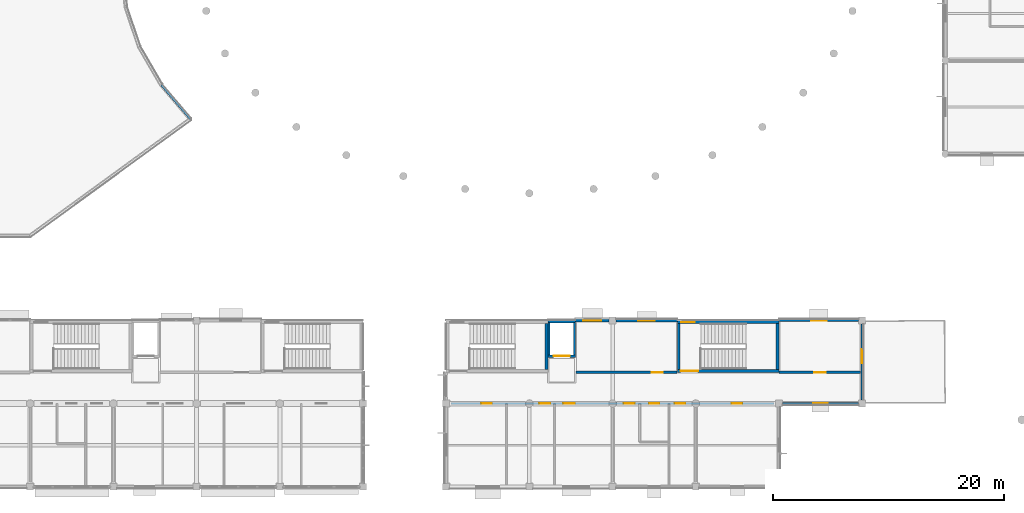
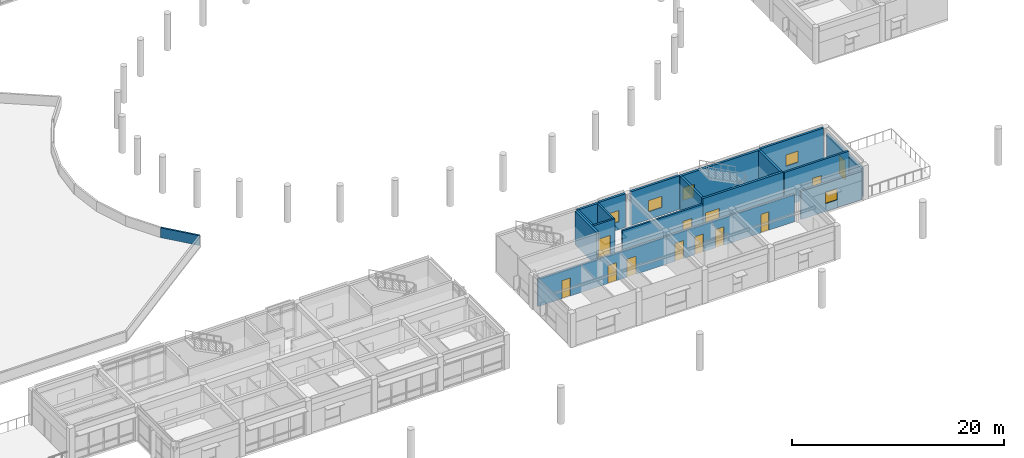
# One storey, part 25 of 55: 18 walls, 12 doors, 5 windows, 17 openings.
"""IFC4 building model written with IfcOpenShell, lengths in metres."""

from ifc_helpers import new_model, si_unit, direction, frame, frame_2d, origin, place, context, subcontext, project, spatial, rectangle, extrude, material, layer, layer_set, type_object, element, fill, save


model = new_model("IFC4")

# Units and contexts
model_context = context("Model", 3, precision=1e-05, world=origin(), true_north=direction((0.0, 1.0)))
body_context = subcontext(model_context, "Body", "Model", "MODEL_VIEW")
ifc_project = project(units=[si_unit("LENGTHUNIT", "METRE"), si_unit("AREAUNIT", "SQUARE_METRE"), si_unit("VOLUMEUNIT", "CUBIC_METRE"), si_unit("PLANEANGLEUNIT", "RADIAN"), si_unit("MASSUNIT", "GRAM", prefix="KILO")], contexts=[model_context])

# Site, building, storey
site_placement = place(None, origin())
site = spatial("IfcSite", under=ifc_project, at=site_placement, CompositionType="ELEMENT")
building_placement = place(site_placement, origin())
building = spatial("IfcBuilding", under=site, at=building_placement, Name="Namkhue Oval Health Centre", CompositionType="ELEMENT")
storey_placement = place(building_placement, frame((0.0, 0.0, 9.60009765625)))
storey = spatial("IfcBuildingStorey", under=building, at=storey_placement, Name="L02", CompositionType="ELEMENT", Elevation=9.60009765625)

# Wall, opening, window
ifc_material_1 = material(Name="Autoclaved aerated concrete blockwork M7.5", Category="masonry")
ifc_layer_1 = layer(ifc_material_1, 0.2099609375)
ifc_layer_set_1 = layer_set([ifc_layer_1], Name="Autoclaved aerated concrete blockwork M7.5")
wall_type_1 = type_object("IfcWallType", Name="EXTERIOR ENVELOPE WALL 210", PredefinedType="STANDARD", material=ifc_layer_set_1)
wall_1_placement = place(storey_placement, frame((122.696044921875, 21.60009765625, 0.0), z_axis=(0.0, 0.0, 1.0), x_axis=(1.0, 0.0, 0.0)))
wall_1 = element("IfcWall", 1, at=wall_1_placement, inside=storey, type_object=wall_type_1, Name="Volume V5 L02 Exterior Envelope Wall 132", PredefinedType="STANDARD", context=body_context, shape_type="SweptSolid", body=[
    extrude(rectangle(XDim=6.60791015625, YDim=0.2099609375, at=frame_2d((3.303955078125, 0.0))), origin(), (0.0, 0.0, 1.0), 3.281982421875),
])
opening_1_placement = place(wall_1_placement, frame((2.678955078125, 0.0, 0.89990234375)))
opening_1 = element("IfcOpeningElement", 2, at=opening_1_placement, cuts=wall_1, Name="Opening WN-04", PredefinedType="OPENING", context=body_context, shape_type="SweptSolid", body=[
    extrude(rectangle(XDim=1.25, YDim=1.300048828125, at=frame_2d((0.625, 0.64990234375))), frame((0.0, 0.114990234375, 0.0), z_axis=(0.0, -1.0, 0.0), x_axis=(1.0, 0.0, 0.0)), (0.0, 0.0, 1.0), 0.22998046875),
])
ifc_material_2 = material(Name="Thermally broken low-E laminated double glazing", Category="glass")
window_type_1 = type_object("IfcWindowType", Name="EXTERIOR WINDOW 1250X1300", PartitioningType="SINGLE_PANEL", PredefinedType="WINDOW", material=ifc_material_2)
window_1_placement = place(opening_1_placement, origin())
window_1 = element("IfcWindow", 3, at=window_1_placement, inside=storey, type_object=window_type_1, Name="Volume V5 L02 Exterior Window 94", OverallHeight=1.300048828125, OverallWidth=1.25, PartitioningType="SINGLE_PANEL", PredefinedType="WINDOW", context=body_context, shape_type="SweptSolid", body=[
    extrude(rectangle(XDim=1.25, YDim=1.300048828125, at=frame_2d((0.625, 0.64990234375))), frame((0.0, 0.030029296875, 0.0), z_axis=(0.0, -1.0, 0.0), x_axis=(1.0, 0.0, 0.0)), (0.0, 0.0, 1.0), 0.06005859375),
])
fill(opening_1, window_1)

# Wall, opening, door
ifc_layer_2 = layer(ifc_material_1, 0.219970703125)
ifc_layer_set_2 = layer_set([ifc_layer_2], Name="Autoclaved aerated concrete blockwork M7.5")
wall_type_2 = type_object("IfcWallType", Name="EXTERIOR ENVELOPE WALL 220", PredefinedType="STANDARD", material=ifc_layer_set_2)
wall_2_placement = place(storey_placement, frame((129.60009765625, 21.89599609375, 0.0), z_axis=(0.0, 0.0, 1.0), x_axis=(0.0, 1.0, 0.0)))
wall_2 = element("IfcWall", 4, at=wall_2_placement, inside=storey, type_object=wall_type_2, Name="Volume V5 L02 Exterior Envelope Wall 133", PredefinedType="STANDARD", context=body_context, shape_type="SweptSolid", body=[
    extrude(rectangle(XDim=6.60791015625, YDim=0.219970703125, at=frame_2d((3.303955078125, 0.0))), origin(), (0.0, 0.0, 1.0), 3.281982421875),
])
opening_2_placement = place(wall_2_placement, frame((3.194091796875, 0.0, 0.0)))
opening_2 = element("IfcOpeningElement", 5, at=opening_2_placement, cuts=wall_2, Name="Opening TD-04", PredefinedType="OPENING", context=body_context, shape_type="SweptSolid", body=[
    extrude(rectangle(XDim=1.219970703125, YDim=2.14990234375, at=frame_2d((0.60986328125, 1.074951171875))), frame((0.0, 0.119873046875, 0.0), z_axis=(0.0, -1.0, 0.0), x_axis=(1.0, 0.0, 0.0)), (0.0, 0.0, 1.0), 0.239990234375),
])
ifc_material_3 = material(Name="Anodised aluminium glazed entrance door", Category="aluminium")
door_type_1 = type_object("IfcDoorType", Name="TERRACE DOOR 1220X2150", OperationType="NOTDEFINED", PredefinedType="DOOR", material=ifc_material_3)
door_1_placement = place(opening_2_placement, frame((1.219970703125, 0.0, 0.0), z_axis=(0.0, 0.0, 1.0), x_axis=(-1.0, 0.0, 0.0)))
door_1 = element("IfcDoor", 6, at=door_1_placement, inside=storey, type_object=door_type_1, Name="Volume V5 L02 Roof Terrace Door 11", OperationType="SINGLE_SWING_RIGHT", OverallHeight=2.14990234375, OverallWidth=1.219970703125, PredefinedType="DOOR", context=body_context, shape_type="SweptSolid", body=[
    extrude(rectangle(XDim=1.219970703125, YDim=2.14990234375, at=frame_2d((0.60986328125, 1.074951171875))), frame((0.0, 0.02490234375, 0.0), z_axis=(0.0, -1.0, 0.0), x_axis=(1.0, 0.0, 0.0)), (0.0, 0.0, 1.0), 0.050048828125),
])
fill(opening_2, door_1)

# Wall, opening, window
ifc_layer_3 = layer(ifc_material_1, 0.22998046875)
ifc_layer_set_3 = layer_set([ifc_layer_3], Name="Autoclaved aerated concrete blockwork M7.5")
wall_type_3 = type_object("IfcWallType", Name="EXTERIOR ENVELOPE WALL 230", PredefinedType="STANDARD", material=ifc_layer_set_3)
wall_3_placement = place(storey_placement, frame((129.303955078125, 28.800048828125, 0.0), z_axis=(0.0, 0.0, 1.0), x_axis=(-1.0, 0.0, 0.0)))
wall_3 = element("IfcWall", 7, at=wall_3_placement, inside=storey, type_object=wall_type_3, Name="Volume V5 L02 Exterior Envelope Wall 134", PredefinedType="STANDARD", context=body_context, shape_type="SweptSolid", body=[
    extrude(rectangle(XDim=6.90185546875, YDim=0.22998046875, at=frame_2d((3.450927734375, 0.0))), origin(), (0.0, 0.0, 1.0), 3.885009765625),
])
opening_3_placement = place(wall_3_placement, frame((2.77587890625, 0.0, 0.89990234375)))
opening_3 = element("IfcOpeningElement", 8, at=opening_3_placement, cuts=wall_3, Name="Opening WN-05", PredefinedType="OPENING", context=body_context, shape_type="SweptSolid", body=[
    extrude(rectangle(XDim=1.35009765625, YDim=1.300048828125, at=frame_2d((0.675048828125, 0.64990234375))), frame((0.0, 0.125, 0.0), z_axis=(0.0, -1.0, 0.0), x_axis=(1.0, 0.0, 0.0)), (0.0, 0.0, 1.0), 0.25),
])
window_type_2 = type_object("IfcWindowType", Name="EXTERIOR WINDOW 1350X1300", PartitioningType="SINGLE_PANEL", PredefinedType="WINDOW", material=ifc_material_2)
window_2_placement = place(opening_3_placement, origin())
window_2 = element("IfcWindow", 9, at=window_2_placement, inside=storey, type_object=window_type_2, Name="Volume V5 L02 Exterior Window 95", OverallHeight=1.300048828125, OverallWidth=1.35009765625, PartitioningType="SINGLE_PANEL", PredefinedType="WINDOW", context=body_context, shape_type="SweptSolid", body=[
    extrude(rectangle(XDim=1.35009765625, YDim=1.300048828125, at=frame_2d((0.675048828125, 0.64990234375))), frame((0.0, 0.030029296875, 0.0), z_axis=(0.0, -1.0, 0.0), x_axis=(1.0, 0.0, 0.0)), (0.0, 0.0, 1.0), 0.06005859375),
])
fill(opening_3, window_2)

ifc_layer_4 = layer(ifc_material_1, 0.239990234375)
ifc_layer_set_4 = layer_set([ifc_layer_4], Name="Autoclaved aerated concrete blockwork M7.5")
wall_type_4 = type_object("IfcWallType", Name="EXTERIOR ENVELOPE WALL 240", PredefinedType="STANDARD", material=ifc_layer_set_4)
wall_4_placement = place(storey_placement, frame((113.597900390625, 28.800048828125, 0.0), z_axis=(0.0, 0.0, 1.0), x_axis=(-1.0, 0.0, 0.0)))
wall_4 = element("IfcWall", 10, at=wall_4_placement, inside=storey, type_object=wall_type_4, Name="Volume V5 L02 Exterior Envelope Wall 135", PredefinedType="STANDARD", context=body_context, shape_type="SweptSolid", body=[
    extrude(rectangle(XDim=5.302001953125, YDim=0.239990234375, at=frame_2d((2.65087890625, 0.0))), origin(), (0.0, 0.0, 1.0), 3.885009765625),
])
opening_4_placement = place(wall_4_placement, frame((1.926025390625, 0.0, 0.89990234375)))
opening_4 = element("IfcOpeningElement", 11, at=opening_4_placement, cuts=wall_4, Name="Opening WN-06", PredefinedType="OPENING", context=body_context, shape_type="SweptSolid", body=[
    extrude(rectangle(XDim=1.449951171875, YDim=1.300048828125, at=frame_2d((0.72509765625, 0.64990234375))), frame((0.0, 0.1298828125, 0.0), z_axis=(0.0, -1.0, 0.0), x_axis=(1.0, 0.0, 0.0)), (0.0, 0.0, 1.0), 0.260009765625),
])
window_type_3 = type_object("IfcWindowType", Name="EXTERIOR WINDOW 1450X1300", PartitioningType="SINGLE_PANEL", PredefinedType="WINDOW", material=ifc_material_2)
window_3_placement = place(opening_4_placement, origin())
window_3 = element("IfcWindow", 12, at=window_3_placement, inside=storey, type_object=window_type_3, Name="Volume V5 L02 Exterior Window 96", OverallHeight=1.300048828125, OverallWidth=1.449951171875, PartitioningType="SINGLE_PANEL", PredefinedType="WINDOW", context=body_context, shape_type="SweptSolid", body=[
    extrude(rectangle(XDim=1.449951171875, YDim=1.300048828125, at=frame_2d((0.72509765625, 0.64990234375))), frame((0.0, 0.030029296875, 0.0), z_axis=(0.0, -1.0, 0.0), x_axis=(1.0, 0.0, 0.0)), (0.0, 0.0, 1.0), 0.06005859375),
])
fill(opening_4, window_3)

ifc_layer_5 = layer(ifc_material_1, 0.25)
ifc_layer_set_5 = layer_set([ifc_layer_5], Name="Autoclaved aerated concrete blockwork M7.5")
wall_type_5 = type_object("IfcWallType", Name="EXTERIOR ENVELOPE WALL 250", PredefinedType="STANDARD", material=ifc_layer_set_5)
wall_5_placement = place(storey_placement, frame((107.7041015625, 28.800048828125, 0.0), z_axis=(0.0, 0.0, 1.0), x_axis=(-1.0, 0.0, 0.0)))
wall_5 = element("IfcWall", 13, at=wall_5_placement, inside=storey, type_object=wall_type_5, Name="Volume V5 L02 Exterior Envelope Wall 136", PredefinedType="STANDARD", context=body_context, shape_type="SweptSolid", body=[
    extrude(rectangle(XDim=2.902099609375, YDim=0.25, at=frame_2d((1.451171875, 0.0))), origin(), (0.0, 0.0, 1.0), 3.885009765625),
])
opening_5_placement = place(wall_5_placement, frame((0.676025390625, 0.0, 0.89990234375)))
opening_5 = element("IfcOpeningElement", 14, at=opening_5_placement, cuts=wall_5, Name="Opening WN-07", PredefinedType="OPENING", context=body_context, shape_type="SweptSolid", body=[
    extrude(rectangle(XDim=1.550048828125, YDim=1.300048828125, at=frame_2d((0.77490234375, 0.64990234375))), frame((0.0, 0.135009765625, 0.0), z_axis=(0.0, -1.0, 0.0), x_axis=(1.0, 0.0, 0.0)), (0.0, 0.0, 1.0), 0.27001953125),
])
window_type_4 = type_object("IfcWindowType", Name="EXTERIOR WINDOW 1550X1300", PartitioningType="SINGLE_PANEL", PredefinedType="WINDOW", material=ifc_material_2)
window_4_placement = place(opening_5_placement, origin())
window_4 = element("IfcWindow", 15, at=window_4_placement, inside=storey, type_object=window_type_4, Name="Volume V5 L02 Exterior Window 97", OverallHeight=1.300048828125, OverallWidth=1.550048828125, PartitioningType="SINGLE_PANEL", PredefinedType="WINDOW", context=body_context, shape_type="SweptSolid", body=[
    extrude(rectangle(XDim=1.550048828125, YDim=1.300048828125, at=frame_2d((0.77490234375, 0.64990234375))), frame((0.0, 0.030029296875, 0.0), z_axis=(0.0, -1.0, 0.0), x_axis=(1.0, 0.0, 0.0)), (0.0, 0.0, 1.0), 0.06005859375),
])
fill(opening_5, window_4)

# Wall, openings, doors
ifc_material_4 = material(Name="Gypsum plasterboard acoustic partition", Category="gypsum")
ifc_layer_6 = layer(ifc_material_4, 0.195068359375)
ifc_layer_set_6 = layer_set([ifc_layer_6], Name="Gypsum plasterboard acoustic partition")
wall_type_6 = type_object("IfcWallType", Name="FIRE PARTITION WALL 195", PredefinedType="PARTITIONING", material=ifc_layer_set_6)
wall_6_placement = place(storey_placement, frame((94.0244140625, 21.60009765625, 0.0), z_axis=(0.0, 0.0, 1.0), x_axis=(1.0, 0.0, 0.0)))
wall_6 = element("IfcWall", 16, at=wall_6_placement, inside=storey, type_object=wall_type_6, Name="Volume V5 L02 Clinical Partition Wall 227", PredefinedType="PARTITIONING", context=body_context, shape_type="SweptSolid", body=[
    extrude(rectangle(XDim=27.951171875, YDim=0.195068359375, at=frame_2d((13.9755859375, 0.0))), origin(), (0.0, 0.0, 1.0), 3.184814453125),
])
opening_6_placement = place(wall_6_placement, frame((2.631591796875, 0.0, 0.0)))
opening_6 = element("IfcOpeningElement", 17, at=opening_6_placement, cuts=wall_6, Name="Opening CD-01", PredefinedType="OPENING", context=body_context, shape_type="SweptSolid", body=[
    extrude(rectangle(XDim=0.89990234375, YDim=2.080078125, at=frame_2d((0.449951171875, 1.0400390625))), frame((0.0, 0.107421875, 0.0), z_axis=(0.0, -1.0, 0.0), x_axis=(1.0, 0.0, 0.0)), (0.0, 0.0, 1.0), 0.215087890625),
])
opening_7_placement = place(wall_6_placement, frame((7.649658203125, 0.0, 0.0)))
opening_7 = element("IfcOpeningElement", 18, at=opening_7_placement, cuts=wall_6, Name="Opening CD-02", PredefinedType="OPENING", context=body_context, shape_type="SweptSolid", body=[
    extrude(rectangle(XDim=0.93994140625, YDim=2.080078125, at=frame_2d((0.469970703125, 1.0400390625))), frame((0.0, 0.107421875, 0.0), z_axis=(0.0, -1.0, 0.0), x_axis=(1.0, 0.0, 0.0)), (0.0, 0.0, 1.0), 0.215087890625),
])
opening_8_placement = place(wall_6_placement, frame((9.726806640625, 0.0, 0.0)))
opening_8 = element("IfcOpeningElement", 19, at=opening_8_placement, cuts=wall_6, Name="Opening CD-03", PredefinedType="OPENING", context=body_context, shape_type="SweptSolid", body=[
    extrude(rectangle(XDim=0.97998046875, YDim=2.080078125, at=frame_2d((0.489990234375, 1.0400390625))), frame((0.0, 0.107421875, 0.0), z_axis=(0.0, -1.0, 0.0), x_axis=(1.0, 0.0, 0.0)), (0.0, 0.0, 1.0), 0.215087890625),
])
opening_9_placement = place(wall_6_placement, frame((14.94580078125, 0.0, 0.0)))
opening_9 = element("IfcOpeningElement", 20, at=opening_9_placement, cuts=wall_6, Name="Opening CD-02", PredefinedType="OPENING", context=body_context, shape_type="SweptSolid", body=[
    extrude(rectangle(XDim=0.93994140625, YDim=2.080078125, at=frame_2d((0.469970703125, 1.0400390625))), frame((0.0, 0.107421875, 0.0), z_axis=(0.0, -1.0, 0.0), x_axis=(1.0, 0.0, 0.0)), (0.0, 0.0, 1.0), 0.215087890625),
])
opening_10_placement = place(wall_6_placement, frame((17.1357421875, 0.0, 0.0)))
opening_10 = element("IfcOpeningElement", 21, at=opening_10_placement, cuts=wall_6, Name="Opening CD-01", PredefinedType="OPENING", context=body_context, shape_type="SweptSolid", body=[
    extrude(rectangle(XDim=0.89990234375, YDim=2.080078125, at=frame_2d((0.449951171875, 1.0400390625))), frame((0.0, 0.107421875, 0.0), z_axis=(0.0, -1.0, 0.0), x_axis=(1.0, 0.0, 0.0)), (0.0, 0.0, 1.0), 0.215087890625),
])
opening_11_placement = place(wall_6_placement, frame((19.36572265625, 0.0, 0.0)))
opening_11 = element("IfcOpeningElement", 22, at=opening_11_placement, cuts=wall_6, Name="Opening CD-07", PredefinedType="OPENING", context=body_context, shape_type="SweptSolid", body=[
    extrude(rectangle(XDim=0.89990234375, YDim=2.1298828125, at=frame_2d((0.449951171875, 1.06494140625))), frame((0.0, 0.107421875, 0.0), z_axis=(0.0, -1.0, 0.0), x_axis=(1.0, 0.0, 0.0)), (0.0, 0.0, 1.0), 0.215087890625),
])
opening_12_placement = place(wall_6_placement, frame((24.28369140625, 0.0, 0.0)))
opening_12 = element("IfcOpeningElement", 23, at=opening_12_placement, cuts=wall_6, Name="Opening CD-07", PredefinedType="OPENING", context=body_context, shape_type="SweptSolid", body=[
    extrude(rectangle(XDim=0.89990234375, YDim=2.1298828125, at=frame_2d((0.449951171875, 1.06494140625))), frame((0.0, 0.107421875, 0.0), z_axis=(0.0, -1.0, 0.0), x_axis=(1.0, 0.0, 0.0)), (0.0, 0.0, 1.0), 0.215087890625),
])
ifc_material_5 = material(Name="High-pressure laminate timber clinical door", Category="wood")
door_type_2 = type_object("IfcDoorType", Name="CLINICAL DOOR 900X2080", OperationType="NOTDEFINED", PredefinedType="DOOR", material=ifc_material_5)
door_2_placement = place(opening_6_placement, frame((0.89990234375, 0.0, 0.0), z_axis=(0.0, 0.0, 1.0), x_axis=(-1.0, 0.0, 0.0)))
door_2 = element("IfcDoor", 24, at=door_2_placement, inside=storey, type_object=door_type_2, Name="Volume V5 L02 Psychiatric Consultation Room Door 197", OperationType="SINGLE_SWING_LEFT", OverallHeight=2.080078125, OverallWidth=0.89990234375, PredefinedType="DOOR", context=body_context, shape_type="SweptSolid", body=[
    extrude(rectangle(XDim=0.89990234375, YDim=2.080078125, at=frame_2d((0.449951171875, 1.0400390625))), frame((0.0, 0.02490234375, 0.0), z_axis=(0.0, -1.0, 0.0), x_axis=(1.0, 0.0, 0.0)), (0.0, 0.0, 1.0), 0.050048828125),
])
fill(opening_6, door_2)
door_3_placement = place(opening_10_placement, frame((0.89990234375, 0.0, 0.0), z_axis=(0.0, 0.0, 1.0), x_axis=(-1.0, 0.0, 0.0)))
door_3 = element("IfcDoor", 25, at=door_3_placement, inside=storey, type_object=door_type_2, Name="Volume V5 L02 Accessible WC Door 201", OperationType="SINGLE_SWING_LEFT", OverallHeight=2.080078125, OverallWidth=0.89990234375, PredefinedType="DOOR", context=body_context, shape_type="SweptSolid", body=[
    extrude(rectangle(XDim=0.89990234375, YDim=2.080078125, at=frame_2d((0.449951171875, 1.0400390625))), frame((0.0, 0.02490234375, 0.0), z_axis=(0.0, -1.0, 0.0), x_axis=(1.0, 0.0, 0.0)), (0.0, 0.0, 1.0), 0.050048828125),
])
fill(opening_10, door_3)
door_type_3 = type_object("IfcDoorType", Name="CLINICAL DOOR 900X2130", OperationType="NOTDEFINED", PredefinedType="DOOR", material=ifc_material_5)
door_4_placement = place(opening_11_placement, frame((0.89990234375, 0.0, 0.0), z_axis=(0.0, 0.0, 1.0), x_axis=(-1.0, 0.0, 0.0)))
door_4 = element("IfcDoor", 26, at=door_4_placement, inside=storey, type_object=door_type_3, Name="Volume V5 L02 Patient Washroom Door 202", OperationType="SINGLE_SWING_RIGHT", OverallHeight=2.1298828125, OverallWidth=0.89990234375, PredefinedType="DOOR", context=body_context, shape_type="SweptSolid", body=[
    extrude(rectangle(XDim=0.89990234375, YDim=2.1298828125, at=frame_2d((0.449951171875, 1.06494140625))), frame((0.0, 0.02490234375, 0.0), z_axis=(0.0, -1.0, 0.0), x_axis=(1.0, 0.0, 0.0)), (0.0, 0.0, 1.0), 0.050048828125),
])
fill(opening_11, door_4)
door_5_placement = place(opening_12_placement, frame((0.89990234375, 0.0, 0.0), z_axis=(0.0, 0.0, 1.0), x_axis=(-1.0, 0.0, 0.0)))
door_5 = element("IfcDoor", 27, at=door_5_placement, inside=storey, type_object=door_type_3, Name="Volume V5 L02 Mental Health Lounge Door 203", OperationType="SINGLE_SWING_LEFT", OverallHeight=2.1298828125, OverallWidth=0.89990234375, PredefinedType="DOOR", context=body_context, shape_type="SweptSolid", body=[
    extrude(rectangle(XDim=0.89990234375, YDim=2.1298828125, at=frame_2d((0.449951171875, 1.06494140625))), frame((0.0, 0.02490234375, 0.0), z_axis=(0.0, -1.0, 0.0), x_axis=(1.0, 0.0, 0.0)), (0.0, 0.0, 1.0), 0.050048828125),
])
fill(opening_12, door_5)
door_type_4 = type_object("IfcDoorType", Name="CLINICAL DOOR 940X2080", OperationType="NOTDEFINED", PredefinedType="DOOR", material=ifc_material_5)
door_6_placement = place(opening_7_placement, frame((0.93994140625, 0.0, 0.0), z_axis=(0.0, 0.0, 1.0), x_axis=(-1.0, 0.0, 0.0)))
door_6 = element("IfcDoor", 28, at=door_6_placement, inside=storey, type_object=door_type_4, Name="Volume V5 L02 Individual Counselling Room Door 198", OperationType="SINGLE_SWING_LEFT", OverallHeight=2.080078125, OverallWidth=0.93994140625, PredefinedType="DOOR", context=body_context, shape_type="SweptSolid", body=[
    extrude(rectangle(XDim=0.93994140625, YDim=2.080078125, at=frame_2d((0.469970703125, 1.0400390625))), frame((0.0, 0.02490234375, 0.0), z_axis=(0.0, -1.0, 0.0), x_axis=(1.0, 0.0, 0.0)), (0.0, 0.0, 1.0), 0.050048828125),
])
fill(opening_7, door_6)
door_7_placement = place(opening_9_placement, frame((0.93994140625, 0.0, 0.0), z_axis=(0.0, 0.0, 1.0), x_axis=(-1.0, 0.0, 0.0)))
door_7 = element("IfcDoor", 29, at=door_7_placement, inside=storey, type_object=door_type_4, Name="Volume V5 L02 Quiet Family Consultation Room Door 200", OperationType="SINGLE_SWING_LEFT", OverallHeight=2.080078125, OverallWidth=0.93994140625, PredefinedType="DOOR", context=body_context, shape_type="SweptSolid", body=[
    extrude(rectangle(XDim=0.93994140625, YDim=2.080078125, at=frame_2d((0.469970703125, 1.0400390625))), frame((0.0, 0.02490234375, 0.0), z_axis=(0.0, -1.0, 0.0), x_axis=(1.0, 0.0, 0.0)), (0.0, 0.0, 1.0), 0.050048828125),
])
fill(opening_9, door_7)
door_type_5 = type_object("IfcDoorType", Name="CLINICAL DOOR 980X2080", OperationType="NOTDEFINED", PredefinedType="DOOR", material=ifc_material_5)
door_8_placement = place(opening_8_placement, frame((0.97998046875, 0.0, 0.0), z_axis=(0.0, 0.0, 1.0), x_axis=(-1.0, 0.0, 0.0)))
door_8 = element("IfcDoor", 30, at=door_8_placement, inside=storey, type_object=door_type_5, Name="Volume V5 L02 Sensory Calm Therapy Room Door 199", OperationType="SINGLE_SWING_LEFT", OverallHeight=2.080078125, OverallWidth=0.97998046875, PredefinedType="DOOR", context=body_context, shape_type="SweptSolid", body=[
    extrude(rectangle(XDim=0.97998046875, YDim=2.080078125, at=frame_2d((0.489990234375, 1.0400390625))), frame((0.0, 0.02490234375, 0.0), z_axis=(0.0, -1.0, 0.0), x_axis=(1.0, 0.0, 0.0)), (0.0, 0.0, 1.0), 0.050048828125),
])
fill(opening_8, door_8)

# Wall, opening, door
ifc_layer_7 = layer(ifc_material_4, 0.205078125)
ifc_layer_set_7 = layer_set([ifc_layer_7], Name="Gypsum plasterboard acoustic partition")
wall_type_7 = type_object("IfcWallType", Name="FIRE PARTITION WALL 205", PredefinedType="PARTITIONING", material=ifc_layer_set_7)
wall_7_placement = place(storey_placement, frame((104.820068359375, 24.300048828125, 0.0), z_axis=(0.0, 0.0, 1.0), x_axis=(1.0, 0.0, 0.0)))
wall_7 = element("IfcWall", 31, at=wall_7_placement, inside=storey, type_object=wall_type_7, Name="Volume V5 L02 Clinical Partition Wall 235", PredefinedType="PARTITIONING", context=body_context, shape_type="SweptSolid", body=[
    extrude(rectangle(XDim=8.760009765625, YDim=0.205078125, at=frame_2d((4.3798828125, 0.0))), origin(), (0.0, 0.0, 1.0), 3.3349609375),
])
opening_13_placement = place(wall_7_placement, frame((6.590087890625, 0.0, 0.0)))
opening_13 = element("IfcOpeningElement", 32, at=opening_13_placement, cuts=wall_7, Name="Opening CD-08", PredefinedType="OPENING", context=body_context, shape_type="SweptSolid", body=[
    extrude(rectangle(XDim=0.949951171875, YDim=2.1298828125, at=frame_2d((0.47509765625, 1.06494140625))), frame((0.0, 0.112548828125, 0.0), z_axis=(0.0, -1.0, 0.0), x_axis=(1.0, 0.0, 0.0)), (0.0, 0.0, 1.0), 0.22509765625),
])
door_type_6 = type_object("IfcDoorType", Name="CLINICAL DOOR 950X2130", OperationType="NOTDEFINED", PredefinedType="DOOR", material=ifc_material_5)
door_9_placement = place(opening_13_placement, origin())
door_9 = element("IfcDoor", 33, at=door_9_placement, inside=storey, type_object=door_type_6, Name="Volume V5 L02 East Terrace Mindfulness Lounge Door 204", OperationType="SINGLE_SWING_RIGHT", OverallHeight=2.1298828125, OverallWidth=0.949951171875, PredefinedType="DOOR", context=body_context, shape_type="SweptSolid", body=[
    extrude(rectangle(XDim=0.949951171875, YDim=2.1298828125, at=frame_2d((0.47509765625, 1.06494140625))), frame((0.0, 0.02490234375, 0.0), z_axis=(0.0, -1.0, 0.0), x_axis=(1.0, 0.0, 0.0)), (0.0, 0.0, 1.0), 0.050048828125),
])
fill(opening_13, door_9)

ifc_layer_8 = layer(ifc_material_4, 0.215087890625)
ifc_layer_set_8 = layer_set([ifc_layer_8], Name="Gypsum plasterboard acoustic partition")
wall_type_8 = type_object("IfcWallType", Name="FIRE PARTITION WALL 215", PredefinedType="PARTITIONING", material=ifc_layer_set_8)
wall_8_placement = place(storey_placement, frame((122.419921875, 24.300048828125, 0.0), z_axis=(0.0, 0.0, 1.0), x_axis=(1.0, 0.0, 0.0)))
wall_8 = element("IfcWall", 34, at=wall_8_placement, inside=storey, type_object=wall_type_8, Name="Volume V5 L02 Clinical Partition Wall 236", PredefinedType="PARTITIONING", context=body_context, shape_type="SweptSolid", body=[
    extrude(rectangle(XDim=7.048095703125, YDim=0.215087890625, at=frame_2d((3.52392578125, 0.0))), origin(), (0.0, 0.0, 1.0), 3.885009765625),
])
opening_14_placement = place(wall_8_placement, frame((3.047119140625, 0.0, 0.0)))
opening_14 = element("IfcOpeningElement", 35, at=opening_14_placement, cuts=wall_8, Name="Opening CD-09", PredefinedType="OPENING", context=body_context, shape_type="SweptSolid", body=[
    extrude(rectangle(XDim=1.0, YDim=2.1298828125, at=frame_2d((0.5, 1.06494140625))), frame((0.0, 0.117431640625, 0.0), z_axis=(0.0, -1.0, 0.0), x_axis=(1.0, 0.0, 0.0)), (0.0, 0.0, 1.0), 0.235107421875),
])
door_type_7 = type_object("IfcDoorType", Name="CLINICAL DOOR 1000X2130", OperationType="NOTDEFINED", PredefinedType="DOOR", material=ifc_material_5)
door_10_placement = place(opening_14_placement, origin())
door_10 = element("IfcDoor", 36, at=door_10_placement, inside=storey, type_object=door_type_7, Name="Volume V5 L02 Cognitive Behavioural Therapy Room Door 205", OperationType="SINGLE_SWING_LEFT", OverallHeight=2.1298828125, OverallWidth=1.0, PredefinedType="DOOR", context=body_context, shape_type="SweptSolid", body=[
    extrude(rectangle(XDim=1.0, YDim=2.1298828125, at=frame_2d((0.5, 1.06494140625))), frame((0.0, 0.02490234375, 0.0), z_axis=(0.0, -1.0, 0.0), x_axis=(1.0, 0.0, 0.0)), (0.0, 0.0, 1.0), 0.050048828125),
])
fill(opening_14, door_10)

# Wall
ifc_material_6 = material(Name="Precast architectural concrete C35/45 (TCVN B40)", Category="concrete")
ifc_layer_9 = layer(ifc_material_6, 0.18505859375)
ifc_layer_set_9 = layer_set([ifc_layer_9], Name="Precast architectural concrete C35/45 (TCVN B40)")
wall_type_9 = type_object("IfcWallType", Name="ROOF PARAPET WALL 185", PredefinedType="PARAPET", material=ifc_layer_set_9)
wall_9_placement = place(storey_placement, frame((68.953125, 49.186279296875, 0.0), z_axis=(0.0, 0.0, 1.0), x_axis=(0.648778163623, -0.760977591264, 0.0)))
element("IfcWall", 37, at=wall_9_placement, inside=storey, type_object=wall_type_9, Name="Volume V1 L02 Roof Parapet Wall 11", PredefinedType="PARAPET", context=body_context, shape_type="SweptSolid", body=[
    extrude(rectangle(XDim=3.8994140625, YDim=0.18505859375, at=frame_2d((1.94970703125, 0.0))), origin(), (0.0, 0.0, 1.0), 1.14990234375),
])

# Wall, opening, window
ifc_material_7 = material(Name="Reinforced concrete C35/45 (TCVN B40)", Category="concrete")
ifc_layer_10 = layer(ifc_material_7, 0.25)
ifc_layer_set_10 = layer_set([ifc_layer_10], Name="Reinforced concrete C35/45 (TCVN B40)")
wall_type_10 = type_object("IfcWallType", Name="SHEAR CORE WALL EXT 250", PredefinedType="SHEAR", material=ifc_layer_set_10)
wall_10_placement = place(storey_placement, frame((122.39990234375, 28.675048828125, 0.0), z_axis=(0.0, 0.0, 1.0), x_axis=(-1.0, 0.0, 0.0)))
wall_10 = element("IfcWall", 38, at=wall_10_placement, inside=storey, type_object=wall_type_10, Name="Core SC-10 L02 Shear Wall N", PredefinedType="SHEAR", context=body_context, shape_type="SweptSolid", body=[
    extrude(rectangle(XDim=8.7998046875, YDim=0.25, at=frame_2d((4.39990234375, 0.0))), origin(), (0.0, 0.0, 1.0), 3.885009765625),
])
opening_15_placement = place(wall_10_placement, frame((7.27001953125, 0.0, 0.919921875)))
opening_15 = element("IfcOpeningElement", 39, at=opening_15_placement, cuts=wall_10, Name="Opening SWN-01", PredefinedType="OPENING", context=body_context, shape_type="SweptSolid", body=[
    extrude(rectangle(XDim=1.179931640625, YDim=1.47998046875, at=frame_2d((0.58984375, 0.739990234375))), frame((0.0, 0.135009765625, 0.0), z_axis=(0.0, -1.0, 0.0), x_axis=(1.0, 0.0, 0.0)), (0.0, 0.0, 1.0), 0.27001953125),
])
ifc_material_8 = material(Name="Fire-rated insulated safety double glazing", Category="glass")
window_type_5 = type_object("IfcWindowType", Name="EXTERIOR WINDOW STAIRWELL 1180X1480", PartitioningType="SINGLE_PANEL", PredefinedType="WINDOW", material=ifc_material_8)
window_5_placement = place(opening_15_placement, origin())
window_5 = element("IfcWindow", 40, at=window_5_placement, inside=storey, type_object=window_type_5, Name="Stair ST-10 L02 Stairwell Daylight Window", OverallHeight=1.47998046875, OverallWidth=1.179931640625, PartitioningType="SINGLE_PANEL", PredefinedType="WINDOW", context=body_context, shape_type="SweptSolid", body=[
    extrude(rectangle(XDim=1.179931640625, YDim=1.47998046875, at=frame_2d((0.58984375, 0.739990234375))), frame((0.0, 0.030029296875, 0.0), z_axis=(0.0, -1.0, 0.0), x_axis=(1.0, 0.0, 0.0)), (0.0, 0.0, 1.0), 0.06005859375),
])
fill(opening_15, window_5)

# Wall
wall_11_placement = place(storey_placement, frame((104.800048828125, 28.699951171875, 0.0), z_axis=(0.0, 0.0, 1.0), x_axis=(-1.0, 0.0, 0.0)))
element("IfcWall", 41, at=wall_11_placement, inside=storey, type_object=wall_type_10, Name="Lift LF-06 L02 Shaft Wall N", PredefinedType="SHEAR", context=body_context, shape_type="SweptSolid", body=[
    extrude(rectangle(XDim=2.400146484375, YDim=0.25, at=frame_2d((1.2001953125, 0.0))), origin(), (0.0, 0.0, 1.0), 3.885009765625),
])

# Wall, opening, door
ifc_layer_11 = layer(ifc_material_7, 0.199951171875)
ifc_layer_set_11 = layer_set([ifc_layer_11], Name="Reinforced concrete C35/45 (TCVN B40)")
wall_type_11 = type_object("IfcWallType", Name="SHEAR CORE WALL INT 200", PredefinedType="SHEAR", material=ifc_layer_set_11)
wall_12_placement = place(storey_placement, frame((102.39990234375, 25.699951171875, 0.0), z_axis=(0.0, 0.0, 1.0), x_axis=(1.0, 0.0, 0.0)))
wall_12 = element("IfcWall", 42, at=wall_12_placement, inside=storey, type_object=wall_type_11, Name="Lift LF-06 L02 Shaft Wall S", PredefinedType="SHEAR", context=body_context, shape_type="SweptSolid", body=[
    extrude(rectangle(XDim=2.400146484375, YDim=0.199951171875, at=frame_2d((1.2001953125, 0.0))), origin(), (0.0, 0.0, 1.0), 3.885009765625),
])
opening_16_placement = place(wall_12_placement, frame((0.5, 0.0, 0.0)))
opening_16 = element("IfcOpeningElement", 43, at=opening_16_placement, cuts=wall_12, Name="Opening LD-01", PredefinedType="OPENING", context=body_context, shape_type="SweptSolid", body=[
    extrude(rectangle(XDim=1.39990234375, YDim=2.14990234375, at=frame_2d((0.699951171875, 1.074951171875))), frame((0.0, 0.10986328125, 0.0), z_axis=(0.0, -1.0, 0.0), x_axis=(1.0, 0.0, 0.0)), (0.0, 0.0, 1.0), 0.219970703125),
])
ifc_material_9 = material(Name="Powder-coated steel fire door assembly", Category="steel")
door_type_8 = type_object("IfcDoorType", Name="LIFT LANDING DOOR STRETCHER 1400X2150", OperationType="DOUBLE_DOOR_SLIDING", PredefinedType="DOOR", material=ifc_material_9)
door_11_placement = place(opening_16_placement, frame((1.39990234375, 0.0, 0.0), z_axis=(0.0, 0.0, 1.0), x_axis=(-1.0, 0.0, 0.0)))
door_11 = element("IfcDoor", 44, at=door_11_placement, inside=storey, type_object=door_type_8, Name="Lift LF-06 L02 Sliding Landing Door", OperationType="DOUBLE_DOOR_SLIDING", OverallHeight=2.14990234375, OverallWidth=1.39990234375, PredefinedType="DOOR", context=body_context, shape_type="SweptSolid", body=[
    extrude(rectangle(XDim=1.39990234375, YDim=2.14990234375, at=frame_2d((0.699951171875, 1.074951171875))), frame((0.0, 0.02490234375, 0.0), z_axis=(0.0, -1.0, 0.0), x_axis=(1.0, 0.0, 0.0)), (0.0, 0.0, 1.0), 0.050048828125),
])
fill(opening_16, door_11)

# Walls
for number, where, z_axis, x_axis, name in (
    (45, (104.699951171875, 25.800048828125, 0.0), (0.0, 0.0, 1.0), (0.0, 1.0, 0.0), "Lift LF-06 L02 Shaft Wall E"),
    (46, (102.5, 28.60009765625, 0.0), (0.0, 0.0, 1.0), (0.0, -1.0, 0.0), "Lift LF-06 L02 Shaft Wall W"),
):
    element("IfcWall", number, at=place(storey_placement, frame(where, z_axis=z_axis, x_axis=x_axis)), inside=storey, type_object=wall_type_11, Name=name, PredefinedType="SHEAR", context=body_context, shape_type="SweptSolid", body=[
        extrude(rectangle(XDim=2.800048828125, YDim=0.199951171875, at=frame_2d((1.39990234375, 0.0))), origin(), (0.0, 0.0, 1.0), 3.885009765625),
    ])
ifc_layer_12 = layer(ifc_material_7, 0.25)
ifc_layer_set_12 = layer_set([ifc_layer_12], Name="Reinforced concrete C35/45 (TCVN B40)")
wall_type_12 = type_object("IfcWallType", Name="SHEAR CORE WALL INT 250", PredefinedType="SHEAR", material=ifc_layer_set_12)
wall_13_placement = place(storey_placement, frame((102.27490234375, 24.550048828125, 0.0), z_axis=(0.0, 0.0, 1.0), x_axis=(0.0, 1.0, 0.0)))
element("IfcWall", 47, at=wall_13_placement, inside=storey, type_object=wall_type_12, Name="Core SC-09 L02 Shear Wall E", PredefinedType="SHEAR", context=body_context, shape_type="SweptSolid", body=[
    extrude(rectangle(XDim=4.0, YDim=0.25, at=frame_2d((2.0, 0.0))), origin(), (0.0, 0.0, 1.0), 3.885009765625),
])

# Wall, opening, door
wall_14_placement = place(storey_placement, frame((113.60009765625, 24.425048828125, 0.0), z_axis=(0.0, 0.0, 1.0), x_axis=(1.0, 0.0, 0.0)))
wall_14 = element("IfcWall", 48, at=wall_14_placement, inside=storey, type_object=wall_type_12, Name="Core SC-10 L02 Shear Wall S", PredefinedType="SHEAR", context=body_context, shape_type="SweptSolid", body=[
    extrude(rectangle(XDim=8.7998046875, YDim=0.25, at=frame_2d((4.39990234375, 0.0))), origin(), (0.0, 0.0, 1.0), 3.885009765625),
])
opening_17_placement = place(wall_14_placement, frame((0.300048828125, 0.0, 0.0)))
opening_17 = element("IfcOpeningElement", 49, at=opening_17_placement, cuts=wall_14, Name="Opening SD-I1", PredefinedType="OPENING", context=body_context, shape_type="SweptSolid", body=[
    extrude(rectangle(XDim=1.5, YDim=2.14990234375, at=frame_2d((0.75, 1.074951171875))), frame((0.0, 0.135009765625, 0.0), z_axis=(0.0, -1.0, 0.0), x_axis=(1.0, 0.0, 0.0)), (0.0, 0.0, 1.0), 0.27001953125),
])
door_type_9 = type_object("IfcDoorType", Name="CLINICAL DOOR STAIR CORE 1500X2150", OperationType="DOUBLE_DOOR_SINGLE_SWING", PredefinedType="DOOR", material=ifc_material_9)
door_12_placement = place(opening_17_placement, origin())
door_12 = element("IfcDoor", 50, at=door_12_placement, inside=storey, type_object=door_type_9, Name="Stair ST-10 L02 Stair Enclosure Fire Door", OperationType="DOUBLE_DOOR_SINGLE_SWING", OverallHeight=2.14990234375, OverallWidth=1.5, PredefinedType="DOOR", context=body_context, shape_type="SweptSolid", body=[
    extrude(rectangle(XDim=1.5, YDim=2.14990234375, at=frame_2d((0.75, 1.074951171875))), frame((0.0, 0.02490234375, 0.0), z_axis=(0.0, -1.0, 0.0), x_axis=(1.0, 0.0, 0.0)), (0.0, 0.0, 1.0), 0.050048828125),
])
fill(opening_17, door_12)

# Walls
for number, where, z_axis, x_axis, name in (
    (51, (122.27490234375, 24.550048828125, 0.0), (0.0, 0.0, 1.0), (0.0, 1.0, 0.0), "Core SC-10 L02 Shear Wall E"),
    (52, (113.72509765625, 28.550048828125, 0.0), (0.0, 0.0, 1.0), (0.0, -1.0, 0.0), "Core SC-10 L02 Shear Wall W"),
):
    element("IfcWall", number, at=place(storey_placement, frame(where, z_axis=z_axis, x_axis=x_axis)), inside=storey, type_object=wall_type_12, Name=name, PredefinedType="SHEAR", context=body_context, shape_type="SweptSolid", body=[
        extrude(rectangle(XDim=4.0, YDim=0.25, at=frame_2d((2.0, 0.0))), origin(), (0.0, 0.0, 1.0), 3.885009765625),
    ])

save(model, "model.ifc")
